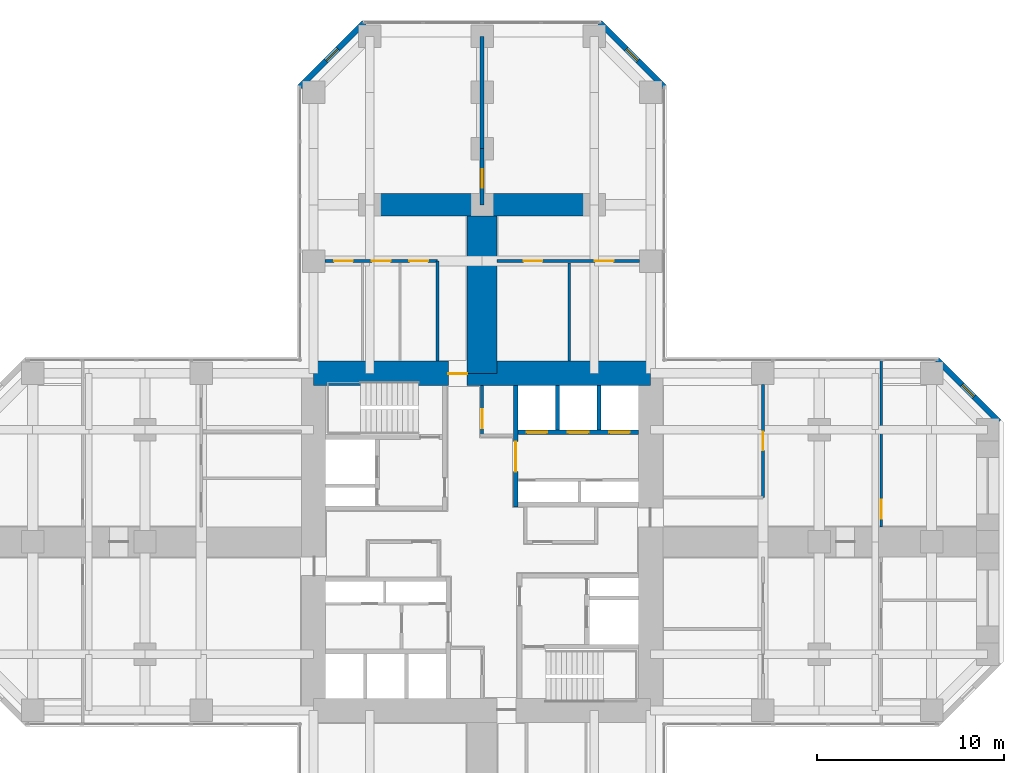
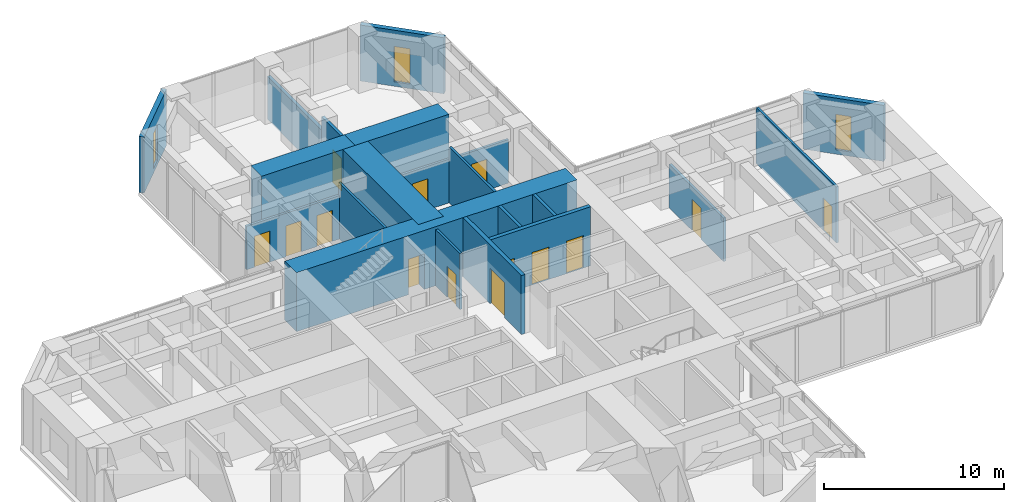
# One storey, part 11 of 13: 20 walls, 14 doors, 3 windows, 17 openings.
"""IFC4 building model written with IfcOpenShell, lengths in metres."""

from ifc_helpers import new_model, si_unit, direction, frame, frame_2d, origin, place, context, subcontext, project, spatial, rectangle, hollow_rectangle, extrude, material, layer, layer_set, constituent, constituent_set, type_object, element, fill, save


model = new_model("IFC4")

# Units and contexts
model_context = context("Model", 3, precision=1e-05, world=origin(), true_north=direction((0.0, 1.0)))
body_context = subcontext(model_context, "Body", "Model", "MODEL_VIEW")
ifc_project = project(units=[si_unit("LENGTHUNIT", "METRE"), si_unit("AREAUNIT", "SQUARE_METRE"), si_unit("VOLUMEUNIT", "CUBIC_METRE"), si_unit("PLANEANGLEUNIT", "RADIAN"), si_unit("MASSUNIT", "GRAM", prefix="KILO")], contexts=[model_context])

# Site, building, storey
site_placement = place(None, origin())
site = spatial("IfcSite", under=ifc_project, at=site_placement, CompositionType="ELEMENT")
building_placement = place(site_placement, origin())
building = spatial("IfcBuilding", under=site, at=building_placement, Name="Torre Cruceta", CompositionType="ELEMENT")
storey_placement = place(building_placement, frame((0.0, 0.0, 31.5)))
storey = spatial("IfcBuildingStorey", under=building, at=storey_placement, Name="L07", CompositionType="ELEMENT", Elevation=31.5)

# Wall, opening, door
ifc_material_1 = material(Name="Concrete G60 (fck 60 MPa)", Category="concrete")
ifc_layer_1 = layer(ifc_material_1, 0.25)
ifc_layer_set_1 = layer_set([ifc_layer_1], Name="Concrete G60 (fck 60 MPa)")
wall_type_1 = type_object("IfcWallType", Name="CORE INNER WALL 250 G60", PredefinedType="SHEAR", material=ifc_layer_set_1)
wall_1_placement = place(storey_placement, frame((1.800048828125, 1.875, 0.0), z_axis=(0.0, 0.0, 1.0), x_axis=(0.0, 1.0, 0.0)))
wall_1 = element("IfcWall", 1, at=wall_1_placement, inside=storey, type_object=wall_type_1, Name="CW4 L07 NE-CU", PredefinedType="SHEAR", context=body_context, shape_type="SweptSolid", body=[
    extrude(rectangle(XDim=6.47509765625, YDim=0.25, at=frame_2d((3.237548828125, 0.0))), origin(), (0.0, 0.0, 1.0), 4.0),
])
opening_1_placement = place(wall_1_placement, frame((1.875, 0.0, 0.0)))
opening_1 = element("IfcOpeningElement", 2, at=opening_1_placement, cuts=wall_1, Name="Opening D8", PredefinedType="OPENING", context=body_context, shape_type="SweptSolid", body=[
    extrude(rectangle(XDim=1.60009765625, YDim=2.39990234375, at=frame_2d((0.800048828125, 1.199951171875))), frame((0.0, 0.135009765625, 0.0), z_axis=(0.0, -1.0, 0.0), x_axis=(1.0, 0.0, 0.0)), (0.0, 0.0, 1.0), 0.27001953125),
])
ifc_material_2 = material(Name="Steel DX51D", Category="steel")
ifc_constituent_1 = constituent(ifc_material_2, Name="Leaf and frame")
ifc_material_3 = material(Name="Polyester powder coating", Category="paint")
ifc_constituent_2 = constituent(ifc_material_3, Name="Finish")
ifc_material_4 = material(Name="Fire-resisting glass", Category="glass")
ifc_constituent_3 = constituent(ifc_material_4, Name="Vision panel")
ifc_constituent_set_1 = constituent_set(constituents=[ifc_constituent_1, ifc_constituent_2, ifc_constituent_3], Name="Steel fire door with vision panels")
door_type_1 = type_object("IfcDoorType", Name="LIFT LOBBY DOUBLE DOOR 1600X2400", OperationType="DOUBLE_DOOR_DOUBLE_SWING", PredefinedType="DOOR", material=ifc_constituent_set_1)
door_1_placement = place(opening_1_placement, origin())
door_1 = element("IfcDoor", 3, at=door_1_placement, inside=storey, type_object=door_type_1, Name="D8 L07 NE-LOBBY", OperationType="DOUBLE_DOOR_DOUBLE_SWING", OverallHeight=2.39990234375, OverallWidth=1.60009765625, PredefinedType="DOOR", context=body_context, shape_type="SweptSolid", body=[
    extrude(rectangle(XDim=1.60009765625, YDim=2.39990234375, at=frame_2d((0.800048828125, 1.199951171875))), frame((0.0, 0.02490234375, 0.0), z_axis=(0.0, -1.0, 0.0), x_axis=(1.0, 0.0, 0.0)), (0.0, 0.0, 1.0), 0.050048828125),
])
fill(opening_1, door_1)

# Wall, openings, doors
wall_2_placement = place(storey_placement, frame((1.925048828125, 5.85009765625, 0.0), z_axis=(0.0, 0.0, 1.0), x_axis=(1.0, 0.0, 0.0)))
wall_2 = element("IfcWall", 4, at=wall_2_placement, inside=storey, type_object=wall_type_1, Name="CW4 L07 NE-LV", PredefinedType="SHEAR", context=body_context, shape_type="SweptSolid", body=[
    extrude(rectangle(XDim=6.425048828125, YDim=0.25, at=frame_2d((3.21240234375, 0.0))), origin(), (0.0, 0.0, 1.0), 4.0),
])
opening_2_placement = place(wall_2_placement, frame((0.4541015625, 0.0, 0.0)))
opening_2 = element("IfcOpeningElement", 5, at=opening_2_placement, cuts=wall_2, Name="Opening LD1", PredefinedType="OPENING", context=body_context, shape_type="SweptSolid", body=[
    extrude(rectangle(XDim=1.10009765625, YDim=2.199951171875, at=frame_2d((0.550048828125, 1.10009765625))), frame((0.0, 0.135009765625, 0.0), z_axis=(0.0, -1.0, 0.0), x_axis=(1.0, 0.0, 0.0)), (0.0, 0.0, 1.0), 0.27001953125),
])
opening_3_placement = place(wall_2_placement, frame((2.66259765625, 0.0, 0.0)))
opening_3 = element("IfcOpeningElement", 6, at=opening_3_placement, cuts=wall_2, Name="Opening LD1", PredefinedType="OPENING", context=body_context, shape_type="SweptSolid", body=[
    extrude(rectangle(XDim=1.10009765625, YDim=2.199951171875, at=frame_2d((0.550048828125, 1.10009765625))), frame((0.0, 0.135009765625, 0.0), z_axis=(0.0, -1.0, 0.0), x_axis=(1.0, 0.0, 0.0)), (0.0, 0.0, 1.0), 0.27001953125),
])
opening_4_placement = place(wall_2_placement, frame((4.870849609375, 0.0, 0.0)))
opening_4 = element("IfcOpeningElement", 7, at=opening_4_placement, cuts=wall_2, Name="Opening LD1", PredefinedType="OPENING", context=body_context, shape_type="SweptSolid", body=[
    extrude(rectangle(XDim=1.10009765625, YDim=2.199951171875, at=frame_2d((0.550048828125, 1.10009765625))), frame((0.0, 0.135009765625, 0.0), z_axis=(0.0, -1.0, 0.0), x_axis=(1.0, 0.0, 0.0)), (0.0, 0.0, 1.0), 0.27001953125),
])
ifc_material_5 = material(Name="Stainless steel 1.4401", Category="steel")
door_type_2 = type_object("IfcDoorType", Name="LIFT LANDING DOOR 1100X2200", OperationType="DOUBLE_DOOR_SLIDING", PredefinedType="DOOR", material=ifc_material_5)
door_2_placement = place(opening_2_placement, origin())
door_2 = element("IfcDoor", 8, at=door_2_placement, inside=storey, type_object=door_type_2, Name="Lift landing door P1", OperationType="DOUBLE_DOOR_SLIDING", OverallHeight=2.199951171875, OverallWidth=1.10009765625, PredefinedType="DOOR", context=body_context, shape_type="SweptSolid", body=[
    extrude(rectangle(XDim=1.10009765625, YDim=2.199951171875, at=frame_2d((0.550048828125, 1.10009765625))), frame((0.0, 0.02490234375, 0.0), z_axis=(0.0, -1.0, 0.0), x_axis=(1.0, 0.0, 0.0)), (0.0, 0.0, 1.0), 0.050048828125),
])
fill(opening_2, door_2)
door_3_placement = place(opening_3_placement, origin())
door_3 = element("IfcDoor", 9, at=door_3_placement, inside=storey, type_object=door_type_2, Name="Lift landing door P2", OperationType="DOUBLE_DOOR_SLIDING", OverallHeight=2.199951171875, OverallWidth=1.10009765625, PredefinedType="DOOR", context=body_context, shape_type="SweptSolid", body=[
    extrude(rectangle(XDim=1.10009765625, YDim=2.199951171875, at=frame_2d((0.550048828125, 1.10009765625))), frame((0.0, 0.02490234375, 0.0), z_axis=(0.0, -1.0, 0.0), x_axis=(1.0, 0.0, 0.0)), (0.0, 0.0, 1.0), 0.050048828125),
])
fill(opening_3, door_3)
door_4_placement = place(opening_4_placement, origin())
door_4 = element("IfcDoor", 10, at=door_4_placement, inside=storey, type_object=door_type_2, Name="Lift landing door P3", OperationType="DOUBLE_DOOR_SLIDING", OverallHeight=2.199951171875, OverallWidth=1.10009765625, PredefinedType="DOOR", context=body_context, shape_type="SweptSolid", body=[
    extrude(rectangle(XDim=1.10009765625, YDim=2.199951171875, at=frame_2d((0.550048828125, 1.10009765625))), frame((0.0, 0.02490234375, 0.0), z_axis=(0.0, -1.0, 0.0), x_axis=(1.0, 0.0, 0.0)), (0.0, 0.0, 1.0), 0.050048828125),
])
fill(opening_4, door_4)

# Wall, opening, door
ifc_material_6 = material(Name="Concrete G60 (fck 60 MPa)", Category="concrete")
ifc_layer_2 = layer(ifc_material_6, 1.300048828125)
ifc_layer_set_2 = layer_set([ifc_layer_2], Name="Concrete G60 (fck 60 MPa)")
wall_type_2 = type_object("IfcWallType", Name="CORE WALL 1300 G60", PredefinedType="SHEAR", material=ifc_layer_set_2)
wall_3_placement = place(storey_placement, frame((9.0, 9.0, 0.0), z_axis=(0.0, 0.0, 1.0), x_axis=(-1.0, 0.0, 0.0)))
wall_3 = element("IfcWall", 11, at=wall_3_placement, inside=storey, type_object=wall_type_2, Name="CW1 L07 CW-N", PredefinedType="SHEAR", context=body_context, shape_type="SweptSolid", body=[
    extrude(rectangle(XDim=18.0, YDim=1.300048828125, at=frame_2d((9.0, 0.0))), origin(), (0.0, 0.0, 1.0), 4.0),
])
opening_5_placement = place(wall_3_placement, frame((9.800048828125, 0.0, 0.0)))
opening_5 = element("IfcOpeningElement", 12, at=opening_5_placement, cuts=wall_3, Name="Opening D4", PredefinedType="OPENING", context=body_context, shape_type="SweptSolid", body=[
    extrude(rectangle(XDim=1.0, YDim=2.39990234375, at=frame_2d((0.5, 1.199951171875))), frame((0.0, 0.659912109375, 0.0), z_axis=(0.0, -1.0, 0.0), x_axis=(1.0, 0.0, 0.0)), (0.0, 0.0, 1.0), 1.320068359375),
])
ifc_material_7 = material(Name="Steel DX51D", Category="steel")
ifc_constituent_4 = constituent(ifc_material_7, Name="Leaf and frame")
ifc_material_8 = material(Name="Polyester powder coating", Category="paint")
ifc_constituent_5 = constituent(ifc_material_8, Name="Finish")
ifc_constituent_set_2 = constituent_set(constituents=[ifc_constituent_4, ifc_constituent_5], Name="Steel fire door")
door_type_3 = type_object("IfcDoorType", Name="CORE ARM DOOR 1000X2400", OperationType="SINGLE_SWING_RIGHT", PredefinedType="DOOR", material=ifc_constituent_set_2)
door_5_placement = place(opening_5_placement, frame((1.0, 0.0, 0.0), z_axis=(0.0, 0.0, 1.0), x_axis=(-1.0, 0.0, 0.0)))
door_5 = element("IfcDoor", 13, at=door_5_placement, inside=storey, type_object=door_type_3, Name="D4 L07 CW-N", OperationType="SINGLE_SWING_RIGHT", OverallHeight=2.39990234375, OverallWidth=1.0, PredefinedType="DOOR", context=body_context, shape_type="SweptSolid", body=[
    extrude(rectangle(XDim=1.0, YDim=2.39990234375, at=frame_2d((0.5, 1.199951171875))), frame((0.0, -0.005126953125, 0.0), z_axis=(0.0, -1.0, 0.0), x_axis=(1.0, 0.0, 0.0)), (0.0, 0.0, 1.0), 0.050048828125),
])
fill(opening_5, door_5)

ifc_material_9 = material(Name="Concrete G25 (fck 25 MPa)", Category="concrete")
ifc_layer_3 = layer(ifc_material_9, 0.199951171875)
ifc_layer_set_3 = layer_set([ifc_layer_3], Name="Concrete G25 (fck 25 MPa)")
wall_type_3 = type_object("IfcWallType", Name="CORRIDOR WALL 200", PredefinedType="SOLIDWALL", material=ifc_layer_set_3)
wall_4_placement = place(storey_placement, frame((0.0, 18.0, 0.0), z_axis=(0.0, 0.0, 1.0), x_axis=(0.0, 1.0, 0.0)))
wall_4 = element("IfcWall", 14, at=wall_4_placement, inside=storey, type_object=wall_type_3, Name="PT3 spine line L07 N", PredefinedType="SOLIDWALL", context=body_context, shape_type="SweptSolid", body=[
    extrude(rectangle(XDim=3.0, YDim=0.199951171875, at=frame_2d((1.5, 0.0))), origin(), (0.0, 0.0, 1.0), 3.800048828125),
])
opening_6_placement = place(wall_4_placement, frame((0.89990234375, 0.0, 0.0)))
opening_6 = element("IfcOpeningElement", 15, at=opening_6_placement, cuts=wall_4, Name="Opening D14", PredefinedType="OPENING", context=body_context, shape_type="SweptSolid", body=[
    extrude(rectangle(XDim=1.0, YDim=2.199951171875, at=frame_2d((0.5, 1.10009765625))), frame((0.0, 0.10986328125, 0.0), z_axis=(0.0, -1.0, 0.0), x_axis=(1.0, 0.0, 0.0)), (0.0, 0.0, 1.0), 0.219970703125),
])
ifc_material_10 = material(Name="Steel DX51D", Category="steel")
ifc_constituent_6 = constituent(ifc_material_10, Name="Leaf and frame")
ifc_material_11 = material(Name="Polyester powder coating", Category="paint")
ifc_constituent_7 = constituent(ifc_material_11, Name="Finish")
ifc_material_12 = material(Name="Fire-resisting glass", Category="glass")
ifc_constituent_8 = constituent(ifc_material_12, Name="Vision panel")
ifc_constituent_set_3 = constituent_set(constituents=[ifc_constituent_6, ifc_constituent_7, ifc_constituent_8], Name="Steel fire door with vision panel")
door_type_4 = type_object("IfcDoorType", Name="FIRE DOOR VISION PANEL 1000X2200", OperationType="SINGLE_SWING_RIGHT", PredefinedType="DOOR", material=ifc_constituent_set_3)
door_6_placement = place(opening_6_placement, frame((1.0, 0.0, 0.0), z_axis=(0.0, 0.0, 1.0), x_axis=(-1.0, 0.0, 0.0)))
door_6 = element("IfcDoor", 16, at=door_6_placement, inside=storey, type_object=door_type_4, Name="D14 L07-N-SP1", OperationType="SINGLE_SWING_RIGHT", OverallHeight=2.199951171875, OverallWidth=1.0, PredefinedType="DOOR", context=body_context, shape_type="SweptSolid", body=[
    extrude(rectangle(XDim=1.0, YDim=2.199951171875, at=frame_2d((0.5, 1.10009765625))), frame((0.0, 0.025146484375, 0.0), z_axis=(0.0, -1.0, 0.0), x_axis=(1.0, 0.0, 0.0)), (0.0, 0.0, 1.0), 0.050048828125),
])
fill(opening_6, door_6)

# Walls
wall_5_placement = place(storey_placement, frame((0.0, 21.0, 0.0), z_axis=(0.0, 0.0, 1.0), x_axis=(0.0, 1.0, 0.0)))
element("IfcWall", 17, at=wall_5_placement, inside=storey, type_object=wall_type_3, Name="PT3 spine line L07 N 2", PredefinedType="SOLIDWALL", context=body_context, shape_type="SweptSolid", body=[
    extrude(rectangle(XDim=6.0, YDim=0.199951171875, at=frame_2d((3.0, 0.0))), origin(), (0.0, 0.0, 1.0), 2.89990234375),
])
ifc_material_13 = material(Name="Concrete G60 (fck 60 MPa)", Category="concrete")
ifc_layer_4 = layer(ifc_material_13, 1.199951171875)
ifc_layer_set_4 = layer_set([ifc_layer_4], Name="Concrete G60 (fck 60 MPa)")
wall_type_4 = type_object("IfcWallType", Name="CROSS WALL 1200 G60", PredefinedType="SHEAR", material=ifc_layer_set_4)
for number, where, z_axis, x_axis, name in (
    (18, (0.0, 18.0, 0.0), (0.0, 0.0, 1.0), (-1.0, 0.0, 0.0), "XW1 cross wall L07 N L"),
    (19, (0.0, 18.0, 0.0), (0.0, 0.0, 1.0), (1.0, 0.0, 0.0), "XW1 cross wall L07 N R"),
):
    element("IfcWall", number, at=place(storey_placement, frame(where, z_axis=z_axis, x_axis=x_axis)), inside=storey, type_object=wall_type_4, Name=name, PredefinedType="SHEAR", context=body_context, shape_type="SweptSolid", body=[
        extrude(rectangle(XDim=6.0, YDim=1.199951171875, at=frame_2d((3.0, 0.0))), origin(), (0.0, 0.0, 1.0), 4.0),
    ])

# Wall, opening, window
ifc_material_14 = material(Name="Concrete G30 (fck 30 MPa)", Category="concrete")
ifc_layer_5 = layer(ifc_material_14, 0.300048828125)
ifc_layer_set_5 = layer_set([ifc_layer_5], Name="Concrete G30 (fck 30 MPa)")
wall_type_5 = type_object("IfcWallType", Name="EXPOSED CONCRETE FACADE WALL 300", PredefinedType="SOLIDWALL", material=ifc_layer_set_5)
wall_6_placement = place(storey_placement, frame((27.60009765625, 6.418212890625, 0.0), z_axis=(0.0, 0.0, 1.0), x_axis=(-0.707106781187, 0.707106781187, 0.0)))
wall_6 = element("IfcWall", 20, at=wall_6_placement, inside=storey, type_object=wall_type_5, Name="EW1 facade wall L07 E chamfer 03", PredefinedType="SOLIDWALL", context=body_context, shape_type="SweptSolid", body=[
    extrude(rectangle(XDim=4.66943359375, YDim=0.300048828125, at=frame_2d((2.334716796875, 0.0))), origin(), (0.0, 0.0, 1.0), 3.800048828125),
])
opening_7_placement = place(wall_6_placement, frame((1.884765625, 0.0, 0.300048828125)))
opening_7 = element("IfcOpeningElement", 21, at=opening_7_placement, cuts=wall_6, Name="Opening WN5", PredefinedType="OPENING", context=body_context, shape_type="SweptSolid", body=[
    extrude(rectangle(XDim=0.89990234375, YDim=2.39990234375, at=frame_2d((0.449951171875, 1.199951171875))), frame((0.0, 0.159912109375, 0.0), z_axis=(0.0, -1.0, 0.0), x_axis=(1.0, 0.0, 0.0)), (0.0, 0.0, 1.0), 0.320068359375),
])
ifc_material_15 = material(Name="Aluminium window frame", Category="aluminium")
ifc_constituent_9 = constituent(ifc_material_15, Name="Frame")
ifc_material_16 = material(Name="Laminated insulating glass unit, low-iron clear", Category="glass")
ifc_constituent_10 = constituent(ifc_material_16, Name="Glazing")
ifc_constituent_set_4 = constituent_set(constituents=[ifc_constituent_9, ifc_constituent_10], Name="Aluminium window")
window_type = type_object("IfcWindowType", Name="CHAMFER SLOT WINDOW 900X2400", PartitioningType="SINGLE_PANEL", PredefinedType="WINDOW", material=ifc_constituent_set_4)
window_1_placement = place(opening_7_placement, origin())
window_1 = element("IfcWindow", 22, at=window_1_placement, inside=storey, type_object=window_type, Name="WN5 L07 E 1", OverallHeight=2.39990234375, OverallWidth=0.89990234375, PartitioningType="SINGLE_PANEL", PredefinedType="WINDOW", context=body_context, shape_type="SweptSolid", body=[
    extrude(hollow_rectangle(XDim=0.89990234375, YDim=2.39990234375, WallThickness=0.06005859375, at=frame_2d((0.449951171875, 1.199951171875))), frame((0.0, 0.030029296875, 0.0), z_axis=(0.0, -1.0, 0.0), x_axis=(1.0, 0.0, 0.0)), (0.0, 0.0, 1.0), 0.06005859375),
    extrude(rectangle(XDim=0.77880859375, YDim=2.27880859375, at=frame_2d((0.449951171875, 1.199951171875))), frame((0.0, 0.030029296875, 0.0), z_axis=(0.0, -1.0, 0.0), x_axis=(1.0, 0.0, 0.0)), (0.0, 0.0, 1.0), 0.06005859375),
])
fill(opening_7, window_1)

wall_7_placement = place(storey_placement, frame((9.719970703125, 24.29833984375, 0.0), z_axis=(0.0, 0.0, 1.0), x_axis=(-0.707106781187, 0.707106781187, 0.0)))
wall_7 = element("IfcWall", 23, at=wall_7_placement, inside=storey, type_object=wall_type_5, Name="EW1 facade wall L07 N chamfer 06", PredefinedType="SOLIDWALL", context=body_context, shape_type="SweptSolid", body=[
    extrude(rectangle(XDim=4.8388671875, YDim=0.300048828125, at=frame_2d((2.41943359375, 0.0))), origin(), (0.0, 0.0, 1.0), 3.800048828125),
])
opening_8_placement = place(wall_7_placement, frame((1.969482421875, 0.0, 0.300048828125)))
opening_8 = element("IfcOpeningElement", 24, at=opening_8_placement, cuts=wall_7, Name="Opening WN5", PredefinedType="OPENING", context=body_context, shape_type="SweptSolid", body=[
    extrude(rectangle(XDim=0.89990234375, YDim=2.39990234375, at=frame_2d((0.449951171875, 1.199951171875))), frame((0.0, 0.159912109375, 0.0), z_axis=(0.0, -1.0, 0.0), x_axis=(1.0, 0.0, 0.0)), (0.0, 0.0, 1.0), 0.320068359375),
])
window_2_placement = place(opening_8_placement, origin())
window_2 = element("IfcWindow", 25, at=window_2_placement, inside=storey, type_object=window_type, Name="WN5 L07 N 1", OverallHeight=2.39990234375, OverallWidth=0.89990234375, PartitioningType="SINGLE_PANEL", PredefinedType="WINDOW", context=body_context, shape_type="SweptSolid", body=[
    extrude(hollow_rectangle(XDim=0.89990234375, YDim=2.39990234375, WallThickness=0.06005859375, at=frame_2d((0.449951171875, 1.199951171875))), frame((0.0, 0.030029296875, 0.0), z_axis=(0.0, -1.0, 0.0), x_axis=(1.0, 0.0, 0.0)), (0.0, 0.0, 1.0), 0.06005859375),
    extrude(rectangle(XDim=0.77880859375, YDim=2.27880859375, at=frame_2d((0.449951171875, 1.199951171875))), frame((0.0, 0.030029296875, 0.0), z_axis=(0.0, -1.0, 0.0), x_axis=(1.0, 0.0, 0.0)), (0.0, 0.0, 1.0), 0.06005859375),
])
fill(opening_8, window_2)

wall_8_placement = place(storey_placement, frame((-6.29833984375, 27.719970703125, 0.0), z_axis=(0.0, 0.0, 1.0), x_axis=(-0.707106781187, -0.707106781187, 0.0)))
wall_8 = element("IfcWall", 26, at=wall_8_placement, inside=storey, type_object=wall_type_5, Name="EW1 facade wall L07 N chamfer 08", PredefinedType="SOLIDWALL", context=body_context, shape_type="SweptSolid", body=[
    extrude(rectangle(XDim=4.8388671875, YDim=0.300048828125, at=frame_2d((2.41943359375, 0.0))), origin(), (0.0, 0.0, 1.0), 3.800048828125),
])
opening_9_placement = place(wall_8_placement, frame((1.969482421875, 0.0, 0.300048828125)))
opening_9 = element("IfcOpeningElement", 27, at=opening_9_placement, cuts=wall_8, Name="Opening WN5", PredefinedType="OPENING", context=body_context, shape_type="SweptSolid", body=[
    extrude(rectangle(XDim=0.89990234375, YDim=2.39990234375, at=frame_2d((0.449951171875, 1.199951171875))), frame((0.0, 0.159912109375, 0.0), z_axis=(0.0, -1.0, 0.0), x_axis=(1.0, 0.0, 0.0)), (0.0, 0.0, 1.0), 0.320068359375),
])
window_3_placement = place(opening_9_placement, origin())
window_3 = element("IfcWindow", 28, at=window_3_placement, inside=storey, type_object=window_type, Name="WN5 L07 N 1", OverallHeight=2.39990234375, OverallWidth=0.89990234375, PartitioningType="SINGLE_PANEL", PredefinedType="WINDOW", context=body_context, shape_type="SweptSolid", body=[
    extrude(hollow_rectangle(XDim=0.89990234375, YDim=2.39990234375, WallThickness=0.06005859375, at=frame_2d((0.449951171875, 1.199951171875))), frame((0.0, 0.030029296875, 0.0), z_axis=(0.0, -1.0, 0.0), x_axis=(1.0, 0.0, 0.0)), (0.0, 0.0, 1.0), 0.06005859375),
    extrude(rectangle(XDim=0.77880859375, YDim=2.27880859375, at=frame_2d((0.449951171875, 1.199951171875))), frame((0.0, 0.030029296875, 0.0), z_axis=(0.0, -1.0, 0.0), x_axis=(1.0, 0.0, 0.0)), (0.0, 0.0, 1.0), 0.06005859375),
])
fill(opening_9, window_3)

# Walls
ifc_material_17 = material(Name="Concrete G35 (fck 35 MPa)", Category="concrete")
ifc_layer_6 = layer(ifc_material_17, 0.199951171875)
ifc_layer_set_6 = layer_set([ifc_layer_6], Name="Concrete G35 (fck 35 MPa)")
wall_type_6 = type_object("IfcWallType", Name="LIFT SHAFT WALL 200", PredefinedType="PARTITIONING", material=ifc_layer_set_6)
for number, where, z_axis, x_axis, name in (
    (29, (4.033447265625, 5.97509765625, 0.0), (0.0, 0.0, 1.0), (0.0, 1.0, 0.0), "SW1 L07 NE-LS1"),
    (30, (6.24169921875, 5.97509765625, 0.0), (0.0, 0.0, 1.0), (0.0, 1.0, 0.0), "SW1 L07 NE-LS2"),
):
    element("IfcWall", number, at=place(storey_placement, frame(where, z_axis=z_axis, x_axis=x_axis)), inside=storey, type_object=wall_type_6, Name=name, PredefinedType="PARTITIONING", context=body_context, shape_type="SweptSolid", body=[
        extrude(rectangle(XDim=2.375, YDim=0.199951171875, at=frame_2d((1.1875, 0.0))), origin(), (0.0, 0.0, 1.0), 4.0),
    ])

# Wall, opening, door
ifc_material_18 = material(Name="Plasterboard on steel studs", Category="steel")
ifc_layer_7 = layer(ifc_material_18, 0.14990234375)
ifc_layer_set_7 = layer_set([ifc_layer_7], Name="Plasterboard on steel studs")
wall_type_7 = type_object("IfcWallType", Name="PARTITION 150", PredefinedType="PARTITIONING", material=ifc_layer_set_7)
wall_9_placement = place(storey_placement, frame((0.0, 5.675048828125, 0.0), z_axis=(0.0, 0.0, 1.0), x_axis=(0.0, 1.0, 0.0)))
wall_9 = element("IfcWall", 31, at=wall_9_placement, inside=storey, type_object=wall_type_7, Name="PT1 L07-CORE-LEGN-E-W1", PredefinedType="PARTITIONING", context=body_context, shape_type="SweptSolid", body=[
    extrude(rectangle(XDim=2.675048828125, YDim=0.14990234375, at=frame_2d((1.33740234375, 0.0))), origin(), (0.0, 0.0, 1.0), 3.800048828125),
])
opening_10_placement = place(wall_9_placement, frame((0.39990234375, 0.0, 0.0)))
opening_10 = element("IfcOpeningElement", 32, at=opening_10_placement, cuts=wall_9, Name="Opening D3", PredefinedType="OPENING", context=body_context, shape_type="SweptSolid", body=[
    extrude(rectangle(XDim=1.0, YDim=2.10009765625, at=frame_2d((0.5, 1.050048828125))), frame((0.0, 0.0849609375, 0.0), z_axis=(0.0, -1.0, 0.0), x_axis=(1.0, 0.0, 0.0)), (0.0, 0.0, 1.0), 0.169921875),
])
ifc_material_19 = material(Name="Steel DX51D", Category="steel")
ifc_constituent_11 = constituent(ifc_material_19, Name="Leaf and frame")
ifc_material_20 = material(Name="Polyester powder coating", Category="paint")
ifc_constituent_12 = constituent(ifc_material_20, Name="Finish")
ifc_constituent_set_5 = constituent_set(constituents=[ifc_constituent_11, ifc_constituent_12], Name="Steel fire door")
door_type_5 = type_object("IfcDoorType", Name="FIRE DOOR 1000X2100", OperationType="SINGLE_SWING_LEFT", PredefinedType="DOOR", material=ifc_constituent_set_5)
door_7_placement = place(opening_10_placement, frame((1.0, 0.0, 0.0), z_axis=(0.0, 0.0, 1.0), x_axis=(-1.0, 0.0, 0.0)))
door_7 = element("IfcDoor", 33, at=door_7_placement, inside=storey, type_object=door_type_5, Name="D3 L07-CORE-LEGN-E-W1-D1", OperationType="SINGLE_SWING_RIGHT", OverallHeight=2.10009765625, OverallWidth=1.0, PredefinedType="DOOR", context=body_context, shape_type="SweptSolid", body=[
    extrude(rectangle(XDim=1.0, YDim=2.10009765625, at=frame_2d((0.5, 1.050048828125))), frame((0.0, 0.025146484375, 0.0), z_axis=(0.0, -1.0, 0.0), x_axis=(1.0, 0.0, 0.0)), (0.0, 0.0, 1.0), 0.050048828125),
])
fill(opening_10, door_7)

# Wall, openings, doors
wall_10_placement = place(storey_placement, frame((-2.375, 15.0, 0.0), z_axis=(0.0, 0.0, 1.0), x_axis=(-1.0, 0.0, 0.0)))
wall_10 = element("IfcWall", 34, at=wall_10_placement, inside=storey, type_object=wall_type_7, Name="PT1 L07-N-BFL", PredefinedType="PARTITIONING", context=body_context, shape_type="SweptSolid", body=[
    extrude(rectangle(XDim=6.02490234375, YDim=0.14990234375, at=frame_2d((3.012451171875, 0.0))), origin(), (0.0, 0.0, 1.0), 2.949951171875),
])
opening_11_placement = place(wall_10_placement, frame((0.504150390625, 0.0, 0.0)))
opening_11 = element("IfcOpeningElement", 35, at=opening_11_placement, cuts=wall_10, Name="Opening D3", PredefinedType="OPENING", context=body_context, shape_type="SweptSolid", body=[
    extrude(rectangle(XDim=1.0, YDim=2.10009765625, at=frame_2d((0.5, 1.050048828125))), frame((0.0, 0.0849609375, 0.0), z_axis=(0.0, -1.0, 0.0), x_axis=(1.0, 0.0, 0.0)), (0.0, 0.0, 1.0), 0.169921875),
])
opening_12_placement = place(wall_10_placement, frame((2.512451171875, 0.0, 0.0)))
opening_12 = element("IfcOpeningElement", 36, at=opening_12_placement, cuts=wall_10, Name="Opening D3", PredefinedType="OPENING", context=body_context, shape_type="SweptSolid", body=[
    extrude(rectangle(XDim=1.0, YDim=2.10009765625, at=frame_2d((0.5, 1.050048828125))), frame((0.0, 0.0849609375, 0.0), z_axis=(0.0, -1.0, 0.0), x_axis=(1.0, 0.0, 0.0)), (0.0, 0.0, 1.0), 0.169921875),
])
opening_13_placement = place(wall_10_placement, frame((4.520751953125, 0.0, 0.0)))
opening_13 = element("IfcOpeningElement", 37, at=opening_13_placement, cuts=wall_10, Name="Opening D3", PredefinedType="OPENING", context=body_context, shape_type="SweptSolid", body=[
    extrude(rectangle(XDim=1.0, YDim=2.10009765625, at=frame_2d((0.5, 1.050048828125))), frame((0.0, 0.0849609375, 0.0), z_axis=(0.0, -1.0, 0.0), x_axis=(1.0, 0.0, 0.0)), (0.0, 0.0, 1.0), 0.169921875),
])
door_8_placement = place(opening_11_placement, origin())
door_8 = element("IfcDoor", 38, at=door_8_placement, inside=storey, type_object=door_type_5, Name="D3 L07-N-BFL-D1", OperationType="SINGLE_SWING_LEFT", OverallHeight=2.10009765625, OverallWidth=1.0, PredefinedType="DOOR", context=body_context, shape_type="SweptSolid", body=[
    extrude(rectangle(XDim=1.0, YDim=2.10009765625, at=frame_2d((0.5, 1.050048828125))), frame((0.0, 0.02490234375, 0.0), z_axis=(0.0, -1.0, 0.0), x_axis=(1.0, 0.0, 0.0)), (0.0, 0.0, 1.0), 0.050048828125),
])
fill(opening_11, door_8)
door_9_placement = place(opening_12_placement, origin())
door_9 = element("IfcDoor", 39, at=door_9_placement, inside=storey, type_object=door_type_5, Name="D3 L07-N-BFL-D2", OperationType="SINGLE_SWING_LEFT", OverallHeight=2.10009765625, OverallWidth=1.0, PredefinedType="DOOR", context=body_context, shape_type="SweptSolid", body=[
    extrude(rectangle(XDim=1.0, YDim=2.10009765625, at=frame_2d((0.5, 1.050048828125))), frame((0.0, 0.02490234375, 0.0), z_axis=(0.0, -1.0, 0.0), x_axis=(1.0, 0.0, 0.0)), (0.0, 0.0, 1.0), 0.050048828125),
])
fill(opening_12, door_9)
door_10_placement = place(opening_13_placement, origin())
door_10 = element("IfcDoor", 40, at=door_10_placement, inside=storey, type_object=door_type_5, Name="D3 L07-N-BFL-D3", OperationType="SINGLE_SWING_LEFT", OverallHeight=2.10009765625, OverallWidth=1.0, PredefinedType="DOOR", context=body_context, shape_type="SweptSolid", body=[
    extrude(rectangle(XDim=1.0, YDim=2.10009765625, at=frame_2d((0.5, 1.050048828125))), frame((0.0, 0.02490234375, 0.0), z_axis=(0.0, -1.0, 0.0), x_axis=(1.0, 0.0, 0.0)), (0.0, 0.0, 1.0), 0.050048828125),
])
fill(opening_13, door_10)

# Wall
wall_11_placement = place(storey_placement, frame((-2.375, 9.64990234375, 0.0), z_axis=(0.0, 0.0, 1.0), x_axis=(0.0, 1.0, 0.0)))
element("IfcWall", 41, at=wall_11_placement, inside=storey, type_object=wall_type_7, Name="PT1 L07-N-BSL", PredefinedType="PARTITIONING", context=body_context, shape_type="SweptSolid", body=[
    extrude(rectangle(XDim=5.35009765625, YDim=0.14990234375, at=frame_2d((2.675048828125, 0.0))), origin(), (0.0, 0.0, 1.0), 3.800048828125),
])

# Wall, openings, doors
wall_12_placement = place(storey_placement, frame((8.39990234375, 15.0, 0.0), z_axis=(0.0, 0.0, 1.0), x_axis=(-1.0, 0.0, 0.0)))
wall_12 = element("IfcWall", 42, at=wall_12_placement, inside=storey, type_object=wall_type_7, Name="PT1 L07-N-BFR", PredefinedType="PARTITIONING", context=body_context, shape_type="SweptSolid", body=[
    extrude(rectangle(XDim=7.599853515625, YDim=0.14990234375, at=frame_2d((3.7998046875, 0.0))), origin(), (0.0, 0.0, 1.0), 2.949951171875),
])
opening_14_placement = place(wall_12_placement, frame((1.375, 0.0, 0.0)))
opening_14 = element("IfcOpeningElement", 43, at=opening_14_placement, cuts=wall_12, Name="Opening D3", PredefinedType="OPENING", context=body_context, shape_type="SweptSolid", body=[
    extrude(rectangle(XDim=1.0, YDim=2.10009765625, at=frame_2d((0.5, 1.050048828125))), frame((0.0, 0.0849609375, 0.0), z_axis=(0.0, -1.0, 0.0), x_axis=(1.0, 0.0, 0.0)), (0.0, 0.0, 1.0), 0.169921875),
])
opening_15_placement = place(wall_12_placement, frame((5.175048828125, 0.0, 0.0)))
opening_15 = element("IfcOpeningElement", 44, at=opening_15_placement, cuts=wall_12, Name="Opening D3", PredefinedType="OPENING", context=body_context, shape_type="SweptSolid", body=[
    extrude(rectangle(XDim=1.0, YDim=2.10009765625, at=frame_2d((0.5, 1.050048828125))), frame((0.0, 0.0849609375, 0.0), z_axis=(0.0, -1.0, 0.0), x_axis=(1.0, 0.0, 0.0)), (0.0, 0.0, 1.0), 0.169921875),
])
door_11_placement = place(opening_14_placement, origin())
door_11 = element("IfcDoor", 45, at=door_11_placement, inside=storey, type_object=door_type_5, Name="D3 L07-N-BFR-D1", OperationType="SINGLE_SWING_RIGHT", OverallHeight=2.10009765625, OverallWidth=1.0, PredefinedType="DOOR", context=body_context, shape_type="SweptSolid", body=[
    extrude(rectangle(XDim=1.0, YDim=2.10009765625, at=frame_2d((0.5, 1.050048828125))), frame((0.0, 0.02490234375, 0.0), z_axis=(0.0, -1.0, 0.0), x_axis=(1.0, 0.0, 0.0)), (0.0, 0.0, 1.0), 0.050048828125),
])
fill(opening_14, door_11)
door_12_placement = place(opening_15_placement, origin())
door_12 = element("IfcDoor", 46, at=door_12_placement, inside=storey, type_object=door_type_5, Name="D3 L07-N-BFR-D2", OperationType="SINGLE_SWING_LEFT", OverallHeight=2.10009765625, OverallWidth=1.0, PredefinedType="DOOR", context=body_context, shape_type="SweptSolid", body=[
    extrude(rectangle(XDim=1.0, YDim=2.10009765625, at=frame_2d((0.5, 1.050048828125))), frame((0.0, 0.02490234375, 0.0), z_axis=(0.0, -1.0, 0.0), x_axis=(1.0, 0.0, 0.0)), (0.0, 0.0, 1.0), 0.050048828125),
])
fill(opening_15, door_12)

# Wall
wall_13_placement = place(storey_placement, frame((4.64990234375, 9.64990234375, 0.0), z_axis=(0.0, 0.0, 1.0), x_axis=(0.0, 1.0, 0.0)))
element("IfcWall", 47, at=wall_13_placement, inside=storey, type_object=wall_type_7, Name="PT1 L07-N-BDR1", PredefinedType="PARTITIONING", context=body_context, shape_type="SweptSolid", body=[
    extrude(rectangle(XDim=5.25, YDim=0.14990234375, at=frame_2d((2.625, 0.0))), origin(), (0.0, 0.0, 1.0), 3.800048828125),
])

# Wall, opening, door
wall_14_placement = place(storey_placement, frame((15.0, 2.375, 0.0), z_axis=(0.0, 0.0, 1.0), x_axis=(0.0, 1.0, 0.0)))
wall_14 = element("IfcWall", 48, at=wall_14_placement, inside=storey, type_object=wall_type_7, Name="PT1 L07-E-BFL", PredefinedType="PARTITIONING", context=body_context, shape_type="SweptSolid", body=[
    extrude(rectangle(XDim=6.02490234375, YDim=0.14990234375, at=frame_2d((3.012451171875, 0.0))), origin(), (0.0, 0.0, 1.0), 2.949951171875),
])
opening_16_placement = place(wall_14_placement, frame((2.512451171875, 0.0, 0.0)))
opening_16 = element("IfcOpeningElement", 49, at=opening_16_placement, cuts=wall_14, Name="Opening D3", PredefinedType="OPENING", context=body_context, shape_type="SweptSolid", body=[
    extrude(rectangle(XDim=1.0, YDim=2.10009765625, at=frame_2d((0.5, 1.050048828125))), frame((0.0, 0.0849609375, 0.0), z_axis=(0.0, -1.0, 0.0), x_axis=(1.0, 0.0, 0.0)), (0.0, 0.0, 1.0), 0.169921875),
])
door_13_placement = place(opening_16_placement, origin())
door_13 = element("IfcDoor", 50, at=door_13_placement, inside=storey, type_object=door_type_5, Name="D3 L07-E-BFL-D1", OperationType="SINGLE_SWING_LEFT", OverallHeight=2.10009765625, OverallWidth=1.0, PredefinedType="DOOR", context=body_context, shape_type="SweptSolid", body=[
    extrude(rectangle(XDim=1.0, YDim=2.10009765625, at=frame_2d((0.5, 1.050048828125))), frame((0.0, 0.02490234375, 0.0), z_axis=(0.0, -1.0, 0.0), x_axis=(1.0, 0.0, 0.0)), (0.0, 0.0, 1.0), 0.050048828125),
])
fill(opening_16, door_13)

wall_15_placement = place(storey_placement, frame((21.320068359375, 0.800048828125, 0.0), z_axis=(0.0, 0.0, 1.0), x_axis=(0.0, 1.0, 0.0)))
wall_15 = element("IfcWall", 51, at=wall_15_placement, inside=storey, type_object=wall_type_7, Name="PT1 L07-E-TWL", PredefinedType="PARTITIONING", context=body_context, shape_type="SweptSolid", body=[
    extrude(rectangle(XDim=8.8798828125, YDim=0.14990234375, at=frame_2d((4.43994140625, 0.0))), origin(), (0.0, 0.0, 1.0), 3.800048828125),
])
opening_17_placement = place(wall_15_placement, frame((0.449951171875, 0.0, 0.0)))
opening_17 = element("IfcOpeningElement", 52, at=opening_17_placement, cuts=wall_15, Name="Opening D14", PredefinedType="OPENING", context=body_context, shape_type="SweptSolid", body=[
    extrude(rectangle(XDim=1.0, YDim=2.199951171875, at=frame_2d((0.5, 1.10009765625))), frame((0.0, 0.0849609375, 0.0), z_axis=(0.0, -1.0, 0.0), x_axis=(1.0, 0.0, 0.0)), (0.0, 0.0, 1.0), 0.169921875),
])
door_14_placement = place(opening_17_placement, frame((1.0, 0.0, 0.0), z_axis=(0.0, 0.0, 1.0), x_axis=(-1.0, 0.0, 0.0)))
door_14 = element("IfcDoor", 53, at=door_14_placement, inside=storey, type_object=door_type_4, Name="D14 L07-E-TWL-D1", OperationType="SINGLE_SWING_RIGHT", OverallHeight=2.199951171875, OverallWidth=1.0, PredefinedType="DOOR", context=body_context, shape_type="SweptSolid", body=[
    extrude(rectangle(XDim=1.0, YDim=2.199951171875, at=frame_2d((0.5, 1.10009765625))), frame((0.0, 0.025146484375, 0.0), z_axis=(0.0, -1.0, 0.0), x_axis=(1.0, 0.0, 0.0)), (0.0, 0.0, 1.0), 0.050048828125),
])
fill(opening_17, door_14)

# Wall
ifc_material_21 = material(Name="Concrete G60 (fck 60 MPa)", Category="concrete")
ifc_layer_8 = layer(ifc_material_21, 1.60009765625)
ifc_layer_set_8 = layer_set([ifc_layer_8], Name="Concrete G60 (fck 60 MPa)")
wall_type_8 = type_object("IfcWallType", Name="SPINE WALL 1600 G60", PredefinedType="SHEAR", material=ifc_layer_set_8)
wall_16_placement = place(storey_placement, frame((0.0, 9.0, 0.0), z_axis=(0.0, 0.0, 1.0), x_axis=(0.0, 1.0, 0.0)))
element("IfcWall", 54, at=wall_16_placement, inside=storey, type_object=wall_type_8, Name="SW2 spine wall L07 N", PredefinedType="SHEAR", context=body_context, shape_type="SweptSolid", body=[
    extrude(rectangle(XDim=9.0, YDim=1.60009765625, at=frame_2d((4.5, 0.0))), origin(), (0.0, 0.0, 1.0), 4.0),
])

save(model, "model.ifc")
